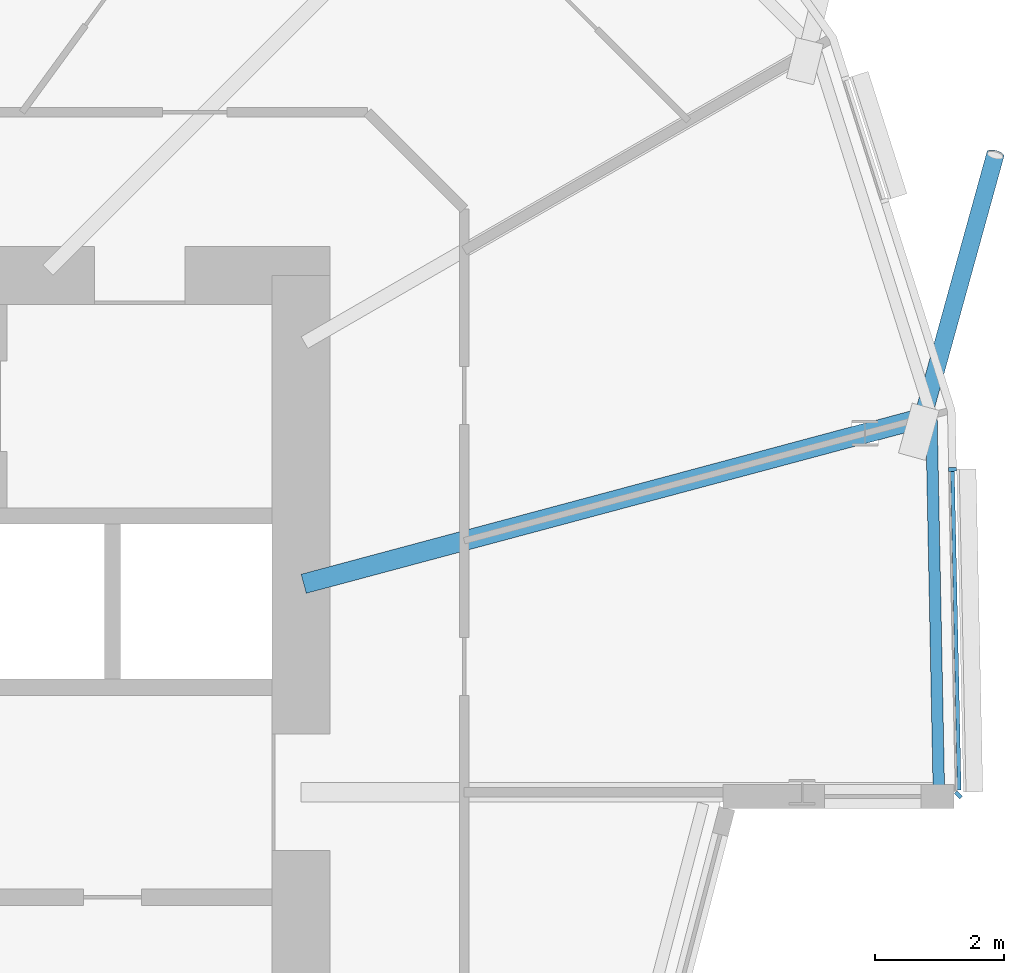
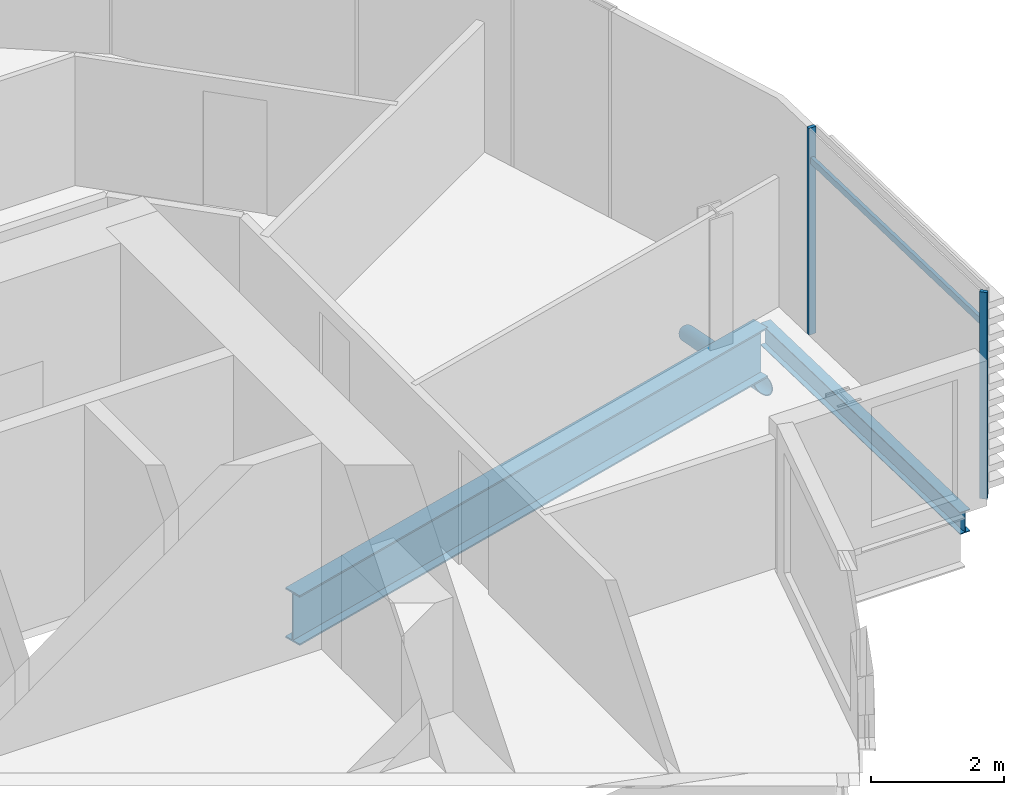
# One storey, part 15 of 38: 4 members, 2 beams, 1 element without a shape of its own.
"""IFC4 building model written with IfcOpenShell, lengths in metres."""

from ifc_helpers import new_model, si_unit, direction, frame, origin, origin_2d, place, context, subcontext, project, spatial, rectangle, hollow_circle, i_section, extrude, clip, halfspace, material, material_profile, profile_set, type_object, element, aggregate, save


model = new_model("IFC4")

# Units and contexts
model_context = context("Model", 3, precision=1e-05, world=origin(), true_north=direction((0.0, 1.0)))
body_context = subcontext(model_context, "Body", "Model", "MODEL_VIEW")
ifc_project = project(units=[si_unit("LENGTHUNIT", "METRE"), si_unit("AREAUNIT", "SQUARE_METRE"), si_unit("VOLUMEUNIT", "CUBIC_METRE"), si_unit("PLANEANGLEUNIT", "RADIAN"), si_unit("MASSUNIT", "GRAM", prefix="KILO")], contexts=[model_context])

# Site, building, storey
site_placement = place(None, origin())
site = spatial("IfcSite", under=ifc_project, at=site_placement, CompositionType="ELEMENT")
building_placement = place(site_placement, origin())
building = spatial("IfcBuilding", under=site, at=building_placement, Name="Rimbun Link Towers", CompositionType="ELEMENT")
storey_placement = place(building_placement, frame((0.0, 0.0, 71.800048828125)))
storey = spatial("IfcBuildingStorey", under=building, at=storey_placement, Name="L17", CompositionType="ELEMENT", Elevation=71.800048828125)

# Curtain wall, members
ifc_material_1 = material(Name="Aluminium 6063-T6 and low-iron glass", Category="aluminium")
curtain_wall_type = type_object("IfcCurtainWallType", Name="CW1 unitised vision wall", PredefinedType="NOTDEFINED", material=ifc_material_1)
curtain_wall_placement = place(storey_placement, origin())
curtain_wall = element("IfcCurtainWall", 1, at=curtain_wall_placement, inside=storey, type_object=curtain_wall_type, Name="CW1 L17 T2", PredefinedType="NOTDEFINED")
ifc_material_2 = material(Name="Aluminium 6063-T6", Category="aluminium")
ifc_material_profile_1 = material_profile(ifc_material_2, rectangle(XDim=0.1201171875, YDim=0.06005859375, at=origin_2d()), Name="MULLION 60X120")
ifc_profile_set_1 = profile_set([ifc_material_profile_1], Name="Aluminium 6063-T6")
member_type_1 = type_object("IfcMemberType", Name="CW1 mullion 60X120", PredefinedType="MULLION", material=ifc_profile_set_1)
member_1_placement = place(storey_placement, frame((53.833740234375, 4.99755859375, 0.0), z_axis=(0.0, 0.0, 1.0), x_axis=(0.999778219026, 0.021059742681, 0.0)))
member_1 = element("IfcMember", 2, at=member_1_placement, type_object=member_type_1, Name="CW1 mullion", PredefinedType="MULLION", context=body_context, shape_type="SweptSolid", body=[
    extrude(rectangle(XDim=0.1201171875, YDim=0.06005859375, at=origin_2d()), origin(), (0.0, 0.0, 1.0), 3.800048828125),
])
member_2_placement = place(storey_placement, frame((53.921875, -0.0419921875, 0.0), z_axis=(0.0, 0.0, 1.0), x_axis=(0.714513730687, -0.699621418097, 0.0)))
member_2 = element("IfcMember", 3, at=member_2_placement, type_object=member_type_1, Name="CW1 mullion", PredefinedType="MULLION", context=body_context, shape_type="SweptSolid", body=[
    extrude(rectangle(XDim=0.1201171875, YDim=0.06005859375, at=origin_2d()), origin(), (0.0, 0.0, 1.0), 3.800048828125),
])
ifc_material_3 = material(Name="Aluminium 6063-T6", Category="aluminium")
ifc_material_profile_2 = material_profile(ifc_material_3, rectangle(XDim=0.06005859375, YDim=0.1201171875, at=origin_2d()), Name="TRANSOM 60X120")
ifc_profile_set_2 = profile_set([ifc_material_profile_2], Name="Aluminium 6063-T6")
member_type_2 = type_object("IfcMemberType", Name="CW1 transom 60X120", PredefinedType="USERDEFINED", material=ifc_profile_set_2)
member_3_placement = place(storey_placement, frame((53.832275390625, 4.967529296875, 3.199951171875), z_axis=(0.02106461633, -0.999778116353, 0.0), x_axis=(0.999778116353, 0.02106461633, 0.0)))
member_3 = element("IfcMember", 4, at=member_3_placement, type_object=member_type_2, Name="CW1 transom", ObjectType="TRANSOM", PredefinedType="USERDEFINED", context=body_context, shape_type="SweptSolid", body=[
    extrude(rectangle(XDim=0.06005859375, YDim=0.1201171875, at=origin_2d()), origin(), (0.0, 0.0, 1.0), 4.937255859375),
])
aggregate(curtain_wall, [member_1, member_2, member_3])

# Member
ifc_material_4 = material(Name="Steel S355J2H", Category="steel")
ifc_material_profile_3 = material_profile(ifc_material_4, hollow_circle(Radius=0.136474609375, WallThickness=0.012451171875, at=origin_2d()), Name="CHS 273x12.5")
ifc_profile_set_3 = profile_set([ifc_material_profile_3], Name="Steel S355J2H")
member_type_3 = type_object("IfcMemberType", Name="Floor edge link CHS 273x12.5", PredefinedType="BRACE", material=ifc_profile_set_3)
member_4_placement = place(storey_placement, frame((53.37060546875, 5.793212890625, -1.20263671875), z_axis=(0.240696183615, 0.872243331478, -0.425742783715), x_axis=(-0.96397070538, 0.266008419357, 0.0)))
element("IfcMember", 5, at=member_4_placement, inside=storey, type_object=member_type_3, Name="Floor edge link T2 L17 22", PredefinedType="BRACE", context=body_context, shape_type="Clipping", body=[
    clip(extrude(hollow_circle(Radius=0.136474609375, WallThickness=0.012451171875, at=origin_2d()), frame((0.0, 0.0, -0.603759765625)), (0.0, 0.0, 1.0), 5.28466796875), halfspace(frame((0.0, 0.0, -0.287109375), z_axis=(0.0, 0.904844230857, -0.425742783715)), False)),
])

# Beams
ifc_material_5 = material(Name="Steel S355J2", Category="steel")
ifc_material_profile_4 = material_profile(ifc_material_5, i_section(OverallWidth=0.177978515625, OverallDepth=0.406494140625, WebThickness=0.0078125, FlangeThickness=0.0126953125, at=origin_2d()), Name="UB 406x178x60")
ifc_profile_set_4 = profile_set([ifc_material_profile_4], Name="Steel S355J2")
beam_type_1 = type_object("IfcBeamType", Name="UB 406x178x60", PredefinedType="BEAM", material=ifc_profile_set_4)
beam_1_placement = place(storey_placement, frame((53.621826171875, 0.0009765625, -0.36328125), z_axis=(-0.019855848745, 0.999802853202, 0.0), x_axis=(-0.999802853202, -0.019855848745, 0.0)))
element("IfcBeam", 6, at=beam_1_placement, inside=storey, type_object=beam_type_1, Name="Edge beam T2 L17 21", PredefinedType="BEAM", context=body_context, shape_type="SweptSolid", body=[
    extrude(i_section(OverallWidth=0.177978515625, OverallDepth=0.406494140625, WebThickness=0.0078125, FlangeThickness=0.0126953125, at=origin_2d()), origin(), (0.0, 0.0, 1.0), 5.81591796875),
])
ifc_material_6 = material(Name="Steel S355J2", Category="steel")
ifc_material_profile_5 = material_profile(ifc_material_6, i_section(OverallWidth=0.305419921875, OverallDepth=0.91845703125, WebThickness=0.017333984375, FlangeThickness=0.02783203125, at=origin_2d()), Name="UB 914x305x253")
ifc_profile_set_5 = profile_set([ifc_material_profile_5], Name="Steel S355J2")
beam_type_2 = type_object("IfcBeamType", Name="UB 914x305x253", PredefinedType="BEAM", material=ifc_profile_set_5)
beam_2_placement = place(storey_placement, frame((43.79052734375, 3.226318359375, -0.619140625), z_axis=(0.965928154558, 0.258810355728, 0.0), x_axis=(-0.258810355728, 0.965928154558, 0.0)))
element("IfcBeam", 7, at=beam_2_placement, inside=storey, type_object=beam_type_2, Name="Radial beam T2 L17 22", PredefinedType="BEAM", context=body_context, shape_type="SweptSolid", body=[
    extrude(i_section(OverallWidth=0.305419921875, OverallDepth=0.91845703125, WebThickness=0.017333984375, FlangeThickness=0.02783203125, at=origin_2d()), origin(), (0.0, 0.0, 1.0), 9.968017578125),
])

save(model, "model.ifc")
